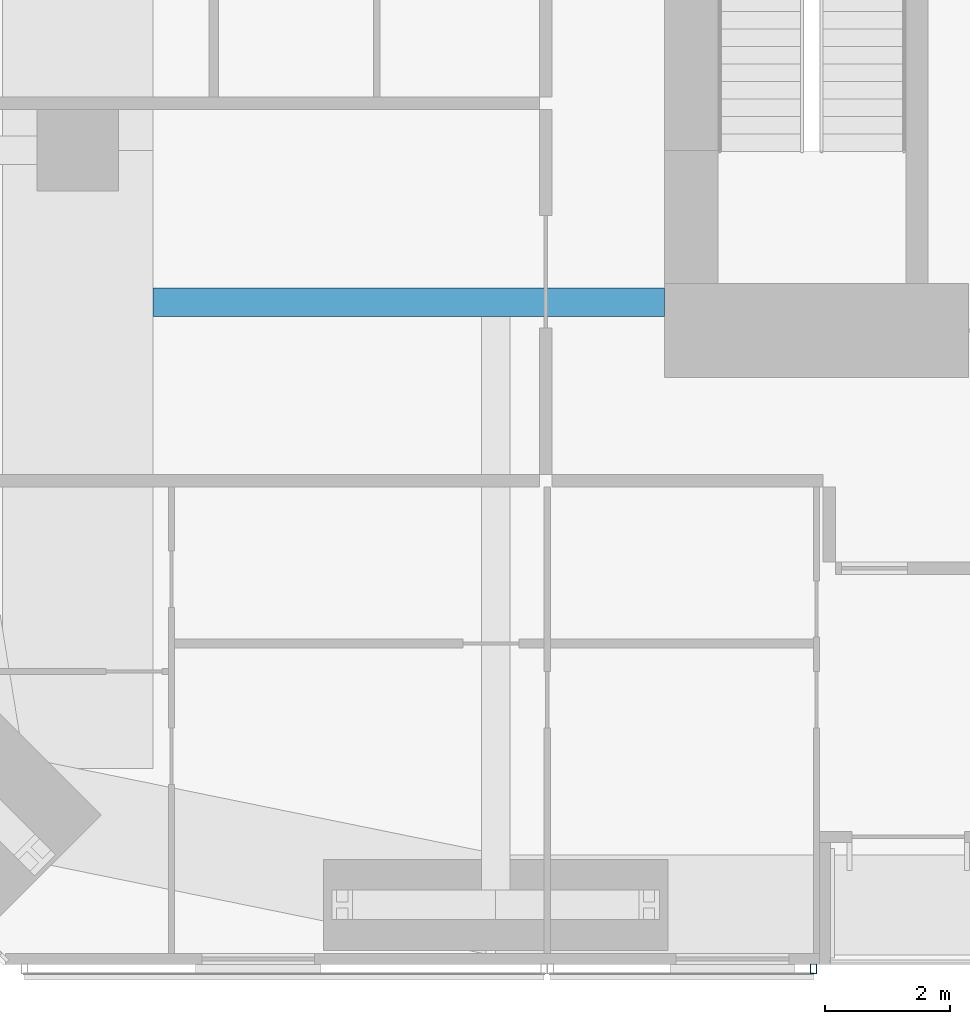
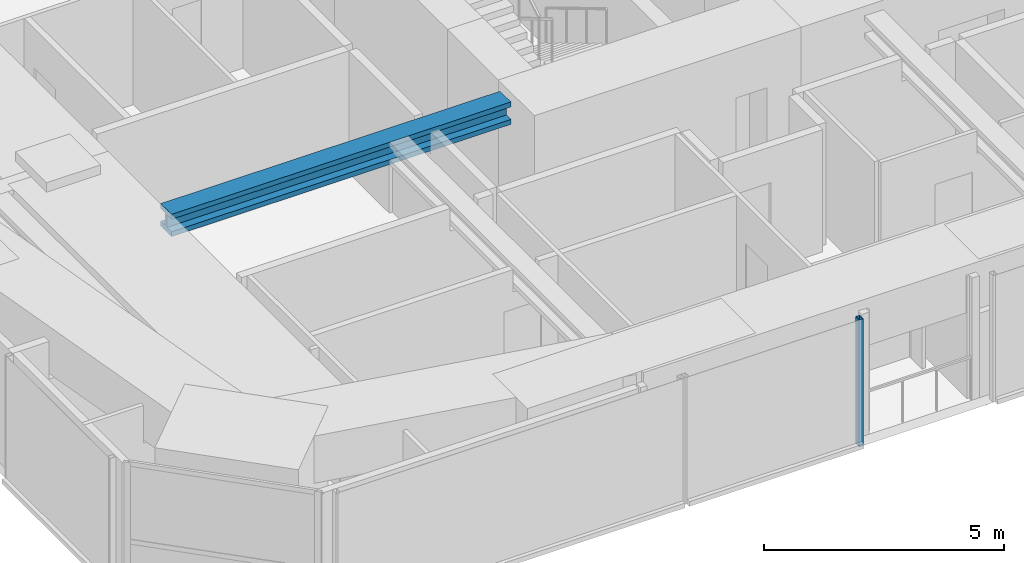
# One storey, part 4 of 25: 1 beam, 1 member, 1 element without a shape of its own.
"""IFC4 building model written with IfcOpenShell, lengths in metres."""

from ifc_helpers import new_model, si_unit, direction, frame, origin, origin_2d, place, context, subcontext, project, spatial, hollow_rectangle, i_section, extrude, material, material_profile, profile_set, type_object, element, aggregate, save


model = new_model("IFC4")

# Units and contexts
model_context = context("Model", 3, precision=1e-05, world=origin(), true_north=direction((0.0, 1.0)))
body_context = subcontext(model_context, "Body", "Model", "MODEL_VIEW")
ifc_project = project(units=[si_unit("LENGTHUNIT", "METRE"), si_unit("AREAUNIT", "SQUARE_METRE"), si_unit("VOLUMEUNIT", "CUBIC_METRE"), si_unit("PLANEANGLEUNIT", "RADIAN"), si_unit("MASSUNIT", "GRAM", prefix="KILO")], contexts=[model_context])

# Site, building, storey
site_placement = place(None, origin())
site = spatial("IfcSite", under=ifc_project, at=site_placement, CompositionType="ELEMENT")
building_placement = place(site_placement, origin())
building = spatial("IfcBuilding", under=site, at=building_placement, Name="Jalousie Tower", CompositionType="ELEMENT")
storey_placement = place(building_placement, frame((0.0, 0.0, 101.5)))
storey = spatial("IfcBuildingStorey", under=building, at=storey_placement, Name="L27", CompositionType="ELEMENT", Elevation=101.5)

# Beam
ifc_material_1 = material(Name="Steel ASTM A992 Grade 50", Category="steel")
ifc_material_profile_1 = material_profile(ifc_material_1, i_section(OverallWidth=0.45458984375, OverallDepth=0.569091796875, WebThickness=0.077880859375, FlangeThickness=0.124755859375, at=origin_2d()), Name="W14X730")
ifc_profile_set_1 = profile_set([ifc_material_profile_1], Name="Steel ASTM A992 Grade 50")
beam_type = type_object("IfcBeamType", Name="LEAN COLLECTOR W14X730", PredefinedType="BEAM", material=ifc_profile_set_1)
beam_placement = place(storey_placement, frame((11.39990234375, 10.574951171875, 2.825439453125), z_axis=(1.0, 0.0, 0.0), x_axis=(0.0, 1.0, 0.0)))
element("IfcBeam", 1, at=beam_placement, inside=storey, type_object=beam_type, Name="Lean collector under L28", PredefinedType="BEAM", context=body_context, shape_type="SweptSolid", body=[
    extrude(i_section(OverallWidth=0.45458984375, OverallDepth=0.569091796875, WebThickness=0.077880859375, FlangeThickness=0.124755859375, at=origin_2d()), origin(), (0.0, 0.0, 1.0), 8.175048828125),
])

# Curtain wall, member
ifc_material_2 = material(Name="Perforated aluminium sheet", Category="aluminium")
curtain_wall_type = type_object("IfcCurtainWallType", Name="SOLAR SCREEN SS-1", PredefinedType="USERDEFINED", material=ifc_material_2)
curtain_wall_placement = place(storey_placement, origin())
curtain_wall = element("IfcCurtainWall", 2, at=curtain_wall_placement, inside=storey, type_object=curtain_wall_type, Name="Solar screen L27", ObjectType="SOLAR SCREEN SS-1", PredefinedType="USERDEFINED")
ifc_material_3 = material(Name="Steel ASTM A500 Grade C", Category="steel")
ifc_material_profile_2 = material_profile(ifc_material_3, hollow_rectangle(XDim=0.1015625, YDim=0.15234375, WallThickness=0.00634765625, at=origin_2d()), Name="HSS6X4X1/4")
ifc_profile_set_2 = profile_set([ifc_material_profile_2], Name="Steel ASTM A500 Grade C")
member_type = type_object("IfcMemberType", Name="SOLAR SCREEN SS-1 MULLION", PredefinedType="MULLION", material=ifc_profile_set_2)
member_placement = place(storey_placement, frame((21.949951171875, -0.0712890625, -0.1201171875), z_axis=(0.0, 0.0, 1.0), x_axis=(1.0, 0.0, 0.0)))
member = element("IfcMember", 3, at=member_placement, type_object=member_type, Name="SS1 post 2", PredefinedType="MULLION", context=body_context, shape_type="SweptSolid", body=[
    extrude(hollow_rectangle(XDim=0.1015625, YDim=0.15234375, WallThickness=0.00634765625, at=origin_2d()), origin(), (0.0, 0.0, 1.0), 3.230224609375),
])
aggregate(curtain_wall, [member])

save(model, "model.ifc")
